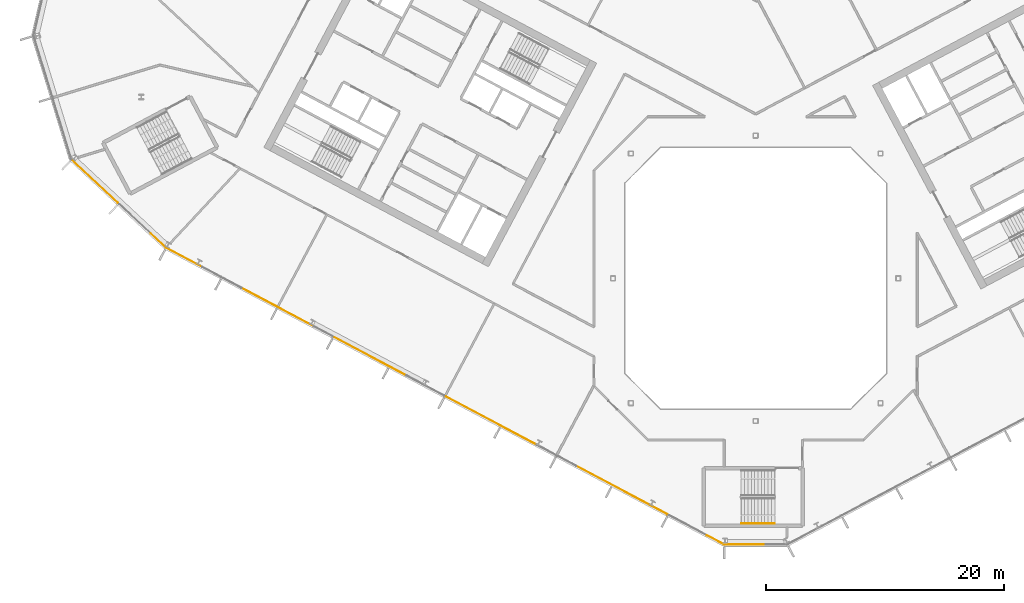
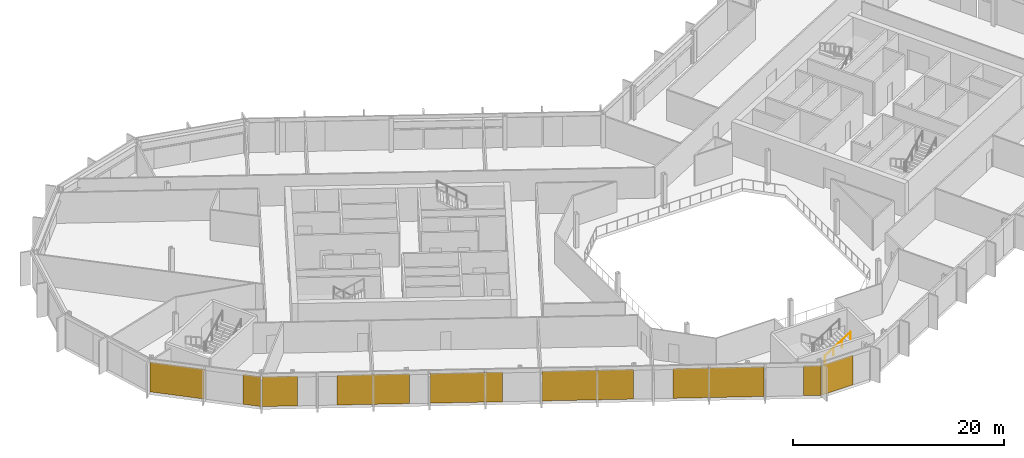
# One storey, part 19 of 27: 9 coverings, 1 railing, 3 elements without a shape of their own.
"""IFC4 building model written with IfcOpenShell, lengths in metres."""

from ifc_helpers import new_model, si_unit, direction, frame, origin, origin_2d, place, context, subcontext, project, spatial, polyline, rectangle, outline, extrude, material, layer, layer_set, type_object, element, aggregate, save


model = new_model("IFC4")

# Units and contexts
model_context = context("Model", 3, precision=1e-05, world=origin(), true_north=direction((0.0, 1.0)))
body_context = subcontext(model_context, "Body", "Model", "MODEL_VIEW")
ifc_project = project(units=[si_unit("LENGTHUNIT", "METRE"), si_unit("AREAUNIT", "SQUARE_METRE"), si_unit("VOLUMEUNIT", "CUBIC_METRE"), si_unit("PLANEANGLEUNIT", "RADIAN"), si_unit("MASSUNIT", "GRAM", prefix="KILO")], contexts=[model_context])

# Site, building, storey
site_placement = place(None, origin())
site = spatial("IfcSite", under=ifc_project, at=site_placement, CompositionType="ELEMENT")
building_placement = place(site_placement, origin())
building = spatial("IfcBuilding", under=site, at=building_placement, Name="Cormorant Relay Tower", CompositionType="ELEMENT")
storey_placement = place(building_placement, frame((0.0, 0.0, 232.5)))
storey = spatial("IfcBuildingStorey", under=building, at=storey_placement, Name="L51", CompositionType="ELEMENT", Elevation=232.5)

# Curtain wall, covering
ifc_material_1 = material(Name="Aluminium 6063-T6 anodised bronze", Category="aluminium")
ifc_layer_1 = layer(ifc_material_1, 0.199951171875)
ifc_layer_set_1 = layer_set([ifc_layer_1], Name="CW1 unitised bronze curtain wall with vertical fins")
curtain_wall_type = type_object("IfcCurtainWallType", Name="CW1 unitised bronze curtain wall with vertical fins", PredefinedType="NOTDEFINED", material=ifc_layer_set_1)
curtain_wall_1_placement = place(storey_placement, origin())
curtain_wall_1 = element("IfcCurtainWall", 1, at=curtain_wall_1_placement, inside=storey, type_object=curtain_wall_type, Name="CW1 curtain wall 1", PredefinedType="NOTDEFINED")
ifc_material_2 = material(Name="Pale bronze anodised aluminium insulated panel", Category="aluminium")
ifc_layer_2 = layer(ifc_material_2, 0.0400390625)
ifc_layer_set_2 = layer_set([ifc_layer_2], Name="CW1 pale bronze insulated panel 40")
covering_type = type_object("IfcCoveringType", Name="CW1 pale bronze insulated panel 40", PredefinedType="CLADDING", material=ifc_layer_set_2)
covering_1_placement = place(storey_placement, frame((-0.862548828125, -22.3955078125, 0.0), z_axis=(0.0, 0.0, 1.0), x_axis=(1.0, 0.0, 0.0)))
covering_1 = element("IfcCovering", 2, at=covering_1_placement, type_object=covering_type, Name="CW1 panel S00", PredefinedType="CLADDING", context=body_context, shape_type="SweptSolid", body=[
    extrude(rectangle(XDim=3.422607421875, YDim=0.0400390625, at=origin_2d()), origin(), (0.0, 0.0, 1.0), 3.449951171875),
])
aggregate(curtain_wall_1, [covering_1])

# Curtain wall, coverings
curtain_wall_2_placement = place(storey_placement, origin())
curtain_wall_2 = element("IfcCurtainWall", 3, at=curtain_wall_2_placement, inside=storey, type_object=curtain_wall_type, Name="CW1 curtain wall 15", PredefinedType="NOTDEFINED")
covering_2_placement = place(storey_placement, frame((-55.56787109375, 8.1298828125, 0.0), z_axis=(0.0, 0.0, 1.0), x_axis=(0.731353701619, -0.681998360062, 0.0)))
covering_2 = element("IfcCovering", 4, at=covering_2_placement, type_object=covering_type, Name="CW1 panel S00", PredefinedType="CLADDING", context=body_context, shape_type="SweptSolid", body=[
    extrude(rectangle(XDim=5.28515625, YDim=0.0400390625, at=origin_2d()), origin(), (0.0, 0.0, 1.0), 3.449951171875),
])
covering_3_placement = place(storey_placement, frame((-50.248779296875, 3.169921875, 0.0), z_axis=(0.0, 0.0, 1.0), x_axis=(0.731353701619, -0.681998360062, 0.0)))
covering_3 = element("IfcCovering", 5, at=covering_3_placement, type_object=covering_type, Name="CW1 panel S02", PredefinedType="CLADDING", context=body_context, shape_type="SweptSolid", body=[
    extrude(rectangle(XDim=1.76025390625, YDim=0.0400390625, at=origin_2d()), origin(), (0.0, 0.0, 1.0), 3.449951171875),
])
aggregate(curtain_wall_2, [covering_2, covering_3])

curtain_wall_3_placement = place(storey_placement, origin())
curtain_wall_3 = element("IfcCurtainWall", 6, at=curtain_wall_3_placement, inside=storey, type_object=curtain_wall_type, Name="CW1 curtain wall 16", PredefinedType="NOTDEFINED")
covering_4_placement = place(storey_placement, frame((-48.048583984375, 1.7412109375, 0.0), z_axis=(0.0, 0.0, 1.0), x_axis=(0.882947592859, -0.469471562786, 0.0)))
covering_4 = element("IfcCovering", 7, at=covering_4_placement, type_object=covering_type, Name="CW1 panel S00", PredefinedType="CLADDING", context=body_context, shape_type="SweptSolid", body=[
    extrude(rectangle(XDim=3.36669921875, YDim=0.0400390625, at=origin_2d()), origin(), (0.0, 0.0, 1.0), 3.449951171875),
])
covering_5_placement = place(storey_placement, frame((-40.21240234375, -2.42529296875, 0.0), z_axis=(0.0, 0.0, 1.0), x_axis=(0.882947592859, -0.469471562786, 0.0)))
covering_5 = element("IfcCovering", 8, at=covering_5_placement, type_object=covering_type, Name="CW1 panel S03", PredefinedType="CLADDING", context=body_context, shape_type="SweptSolid", body=[
    extrude(rectangle(XDim=6.88330078125, YDim=0.0400390625, at=origin_2d()), origin(), (0.0, 0.0, 1.0), 3.449951171875),
])
covering_6_placement = place(storey_placement, frame((-32.4130859375, -6.572265625, 0.0), z_axis=(0.0, 0.0, 1.0), x_axis=(0.882947592859, -0.469471562786, 0.0)))
covering_6 = element("IfcCovering", 9, at=covering_6_placement, type_object=covering_type, Name="CW1 panel S05", PredefinedType="CLADDING", context=body_context, shape_type="SweptSolid", body=[
    extrude(rectangle(XDim=6.88330078125, YDim=0.0400390625, at=origin_2d()), origin(), (0.0, 0.0, 1.0), 3.449951171875),
])
covering_7_placement = place(storey_placement, frame((-22.22998046875, -11.98681640625, 0.0), z_axis=(0.0, 0.0, 1.0), x_axis=(0.882947592859, -0.469471562786, 0.0)))
covering_7 = element("IfcCovering", 10, at=covering_7_placement, type_object=covering_type, Name="CW1 panel S07", PredefinedType="CLADDING", context=body_context, shape_type="SweptSolid", body=[
    extrude(rectangle(XDim=8.68310546875, YDim=0.0400390625, at=origin_2d()), origin(), (0.0, 0.0, 1.0), 3.449951171875),
])
covering_8_placement = place(storey_placement, frame((-11.252197265625, -17.82373046875, 0.0), z_axis=(0.0, 0.0, 1.0), x_axis=(0.882947592859, -0.469471562786, 0.0)))
covering_8 = element("IfcCovering", 11, at=covering_8_placement, type_object=covering_type, Name="CW1 panel S10", PredefinedType="CLADDING", context=body_context, shape_type="SweptSolid", body=[
    extrude(rectangle(XDim=8.68310546875, YDim=0.0400390625, at=origin_2d()), origin(), (0.0, 0.0, 1.0), 3.449951171875),
])
covering_9_placement = place(storey_placement, frame((-3.383056640625, -22.0078125, 0.0), z_axis=(0.0, 0.0, 1.0), x_axis=(0.882947592859, -0.469471562786, 0.0)))
covering_9 = element("IfcCovering", 12, at=covering_9_placement, type_object=covering_type, Name="CW1 panel S12", PredefinedType="CLADDING", context=body_context, shape_type="SweptSolid", body=[
    extrude(rectangle(XDim=1.6416015625, YDim=0.0400390625, at=origin_2d()), origin(), (0.0, 0.0, 1.0), 3.449951171875),
])
aggregate(curtain_wall_3, [covering_4, covering_5, covering_6, covering_7, covering_8, covering_9])

# Railing
ifc_material_3 = material(Name="Steel ASTM A572 Grade 50 (Fy 345 MPa)", Category="steel")
railing_type = type_object("IfcRailingType", Name="Stair handrail 900", PredefinedType="HANDRAIL", material=ifc_material_3)
railing_placement = place(storey_placement, frame((-1.199951171875, -20.625, 2.127197265625)))
element("IfcRailing", 13, at=railing_placement, inside=storey, type_object=railing_type, Name="L51 RK1 stair handrail 2", PredefinedType="HANDRAIL", context=body_context, shape_type="SweptSolid", body=[
    extrude(outline(polyline([(0.022216796875, 0.00927734375), (0.00927734375, 0.022216796875), (-0.00927734375, 0.022216796875), (-0.022216796875, 0.00927734375), (-0.022216796875, -0.00927734375), (-0.00927734375, -0.022216796875), (0.00927734375, -0.022216796875), (0.022216796875, -0.00927734375), (0.022216796875, 0.00927734375)])), frame((0.0, 0.0, 0.8759765625), z_axis=(0.844908973607, 0.0, 0.534910110503), x_axis=(0.0, 1.0, 0.0)), (0.0, 0.0, 1.0), 3.31396484375),
    extrude(outline(polyline([(0.019287109375, 0.008056640625), (0.008056640625, 0.019287109375), (-0.008056640625, 0.019287109375), (-0.019287109375, 0.008056640625), (-0.019287109375, -0.008056640625), (-0.008056640625, -0.019287109375), (0.008056640625, -0.019287109375), (0.019287109375, -0.008056640625), (0.019287109375, 0.008056640625)])), origin(), (0.0, 0.0, 1.0), 0.851806640625),
    extrude(outline(polyline([(0.019287109375, 0.008056640625), (0.008056640625, 0.019287109375), (-0.008056640625, 0.019287109375), (-0.019287109375, 0.008056640625), (-0.019287109375, -0.008056640625), (-0.008056640625, -0.019287109375), (0.008056640625, -0.019287109375), (0.019287109375, -0.008056640625), (0.019287109375, 0.008056640625)])), frame((0.933349609375, 0.0, 0.5908203125)), (0.0, 0.0, 1.0), 0.851806640625),
    extrude(outline(polyline([(0.019287109375, 0.008056640625), (0.008056640625, 0.019287109375), (-0.008056640625, 0.019287109375), (-0.019287109375, 0.008056640625), (-0.019287109375, -0.008056640625), (-0.008056640625, -0.019287109375), (0.008056640625, -0.019287109375), (0.019287109375, -0.008056640625), (0.019287109375, 0.008056640625)])), frame((1.86669921875, 0.0, 1.181884765625)), (0.0, 0.0, 1.0), 0.851806640625),
    extrude(outline(polyline([(0.019287109375, 0.008056640625), (0.008056640625, 0.019287109375), (-0.008056640625, 0.019287109375), (-0.019287109375, 0.008056640625), (-0.019287109375, -0.008056640625), (-0.008056640625, -0.019287109375), (0.008056640625, -0.019287109375), (0.019287109375, -0.008056640625), (0.019287109375, 0.008056640625)])), frame((2.800048828125, 0.0, 1.772705078125)), (0.0, 0.0, 1.0), 0.851806640625),
])

save(model, "model.ifc")
